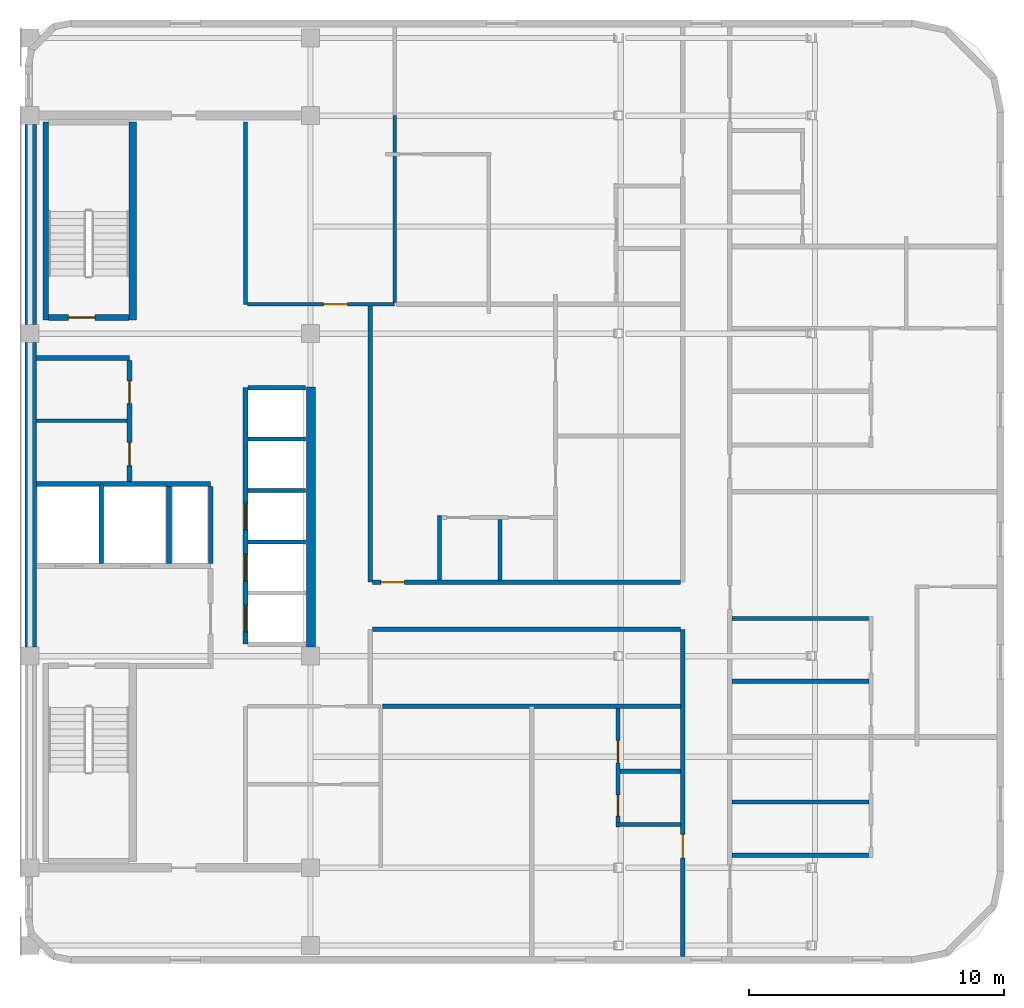
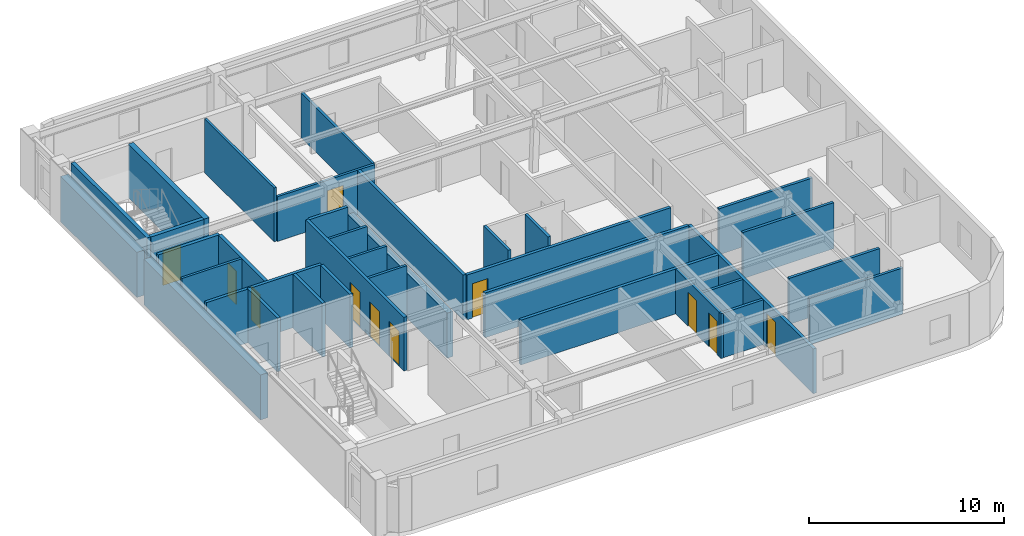
# One storey, part 3 of 7: 35 walls, 11 doors, 11 openings.
"""IFC4 building model written with IfcOpenShell, lengths in metres."""

from ifc_helpers import new_model, si_unit, direction, frame, frame_2d, origin, place, context, subcontext, project, spatial, rectangle, extrude, material, layer, layer_set, type_object, element, fill, save


model = new_model("IFC4")

# Units and contexts
model_context = context("Model", 3, precision=1e-05, world=origin(), true_north=direction((0.0, 1.0)))
body_context = subcontext(model_context, "Body", "Model", "MODEL_VIEW")
ifc_project = project(units=[si_unit("LENGTHUNIT", "METRE"), si_unit("AREAUNIT", "SQUARE_METRE"), si_unit("VOLUMEUNIT", "CUBIC_METRE"), si_unit("PLANEANGLEUNIT", "RADIAN"), si_unit("MASSUNIT", "GRAM", prefix="KILO")], contexts=[model_context])

# Site, building, storey
site_placement = place(None, origin())
site = spatial("IfcSite", under=ifc_project, at=site_placement, CompositionType="ELEMENT")
building_placement = place(site_placement, origin())
building = spatial("IfcBuilding", under=site, at=building_placement, Name="Ochreholt Gables", CompositionType="ELEMENT")
storey_placement = place(building_placement, frame((0.0, 0.0, 209.39990234375)))
storey = spatial("IfcBuildingStorey", under=building, at=storey_placement, Name="L54", CompositionType="ELEMENT", Elevation=209.39990234375)

# Walls
ifc_material_1 = material(Name="Concrete 50 MPa", Category="concrete")
ifc_layer_1 = layer(ifc_material_1, 0.35009765625, Name="Concrete 50 MPa")
ifc_layer_set_1 = layer_set([ifc_layer_1], Name="Concrete 50 MPa")
wall_type_1 = type_object("IfcWallType", Name="WALL-CSW-350", PredefinedType="SHEAR", material=ifc_layer_set_1)
wall_1_placement = place(storey_placement, frame((35.22509765625, 17.89990234375, 0.0), z_axis=(0.0, 0.0, 1.0), x_axis=(0.0, 1.0, 0.0)))
element("IfcWall", 1, at=wall_1_placement, inside=storey, type_object=wall_type_1, Name="L54 Core Central-East Shear Wall", PredefinedType="SHEAR", context=body_context, shape_type="SweptSolid", body=[
    extrude(rectangle(XDim=10.2001953125, YDim=0.35009765625, at=frame_2d((5.10009765625, 0.0))), origin(), (0.0, 0.0, 1.0), 2.821044921875),
])
ifc_layer_2 = layer(ifc_material_1, 0.449951171875, Name="Concrete 50 MPa")
ifc_layer_set_2 = layer_set([ifc_layer_2], Name="Concrete 50 MPa")
wall_type_2 = type_object("IfcWallType", Name="WALL-CSW-EXT", PredefinedType="SHEAR", material=ifc_layer_set_2)
wall_2_placement = place(storey_placement, frame((24.22509765625, 17.89990234375, 0.0), z_axis=(0.0, 0.0, 1.0), x_axis=(0.0, 1.0, 0.0)))
element("IfcWall", 2, at=wall_2_placement, inside=storey, type_object=wall_type_2, Name="L54 Core West Shear Wall WM", PredefinedType="SHEAR", context=body_context, shape_type="SweptSolid", body=[
    extrude(rectangle(XDim=11.9501953125, YDim=0.449951171875, at=frame_2d((5.97509765625, 0.0))), origin(), (0.0, 0.0, 1.0), 2.821044921875),
])
wall_3_placement = place(storey_placement, frame((24.22509765625, 30.550048828125, 0.0), z_axis=(0.0, 0.0, 1.0), x_axis=(0.0, 1.0, 0.0)))
element("IfcWall", 3, at=wall_3_placement, inside=storey, type_object=wall_type_2, Name="L54 Core West Shear Wall WN", PredefinedType="SHEAR", context=body_context, shape_type="SweptSolid", body=[
    extrude(rectangle(XDim=7.849853515625, YDim=0.449951171875, at=frame_2d((3.9248046875, 0.0))), origin(), (0.0, 0.0, 1.0), 2.821044921875),
])
ifc_material_2 = material(Name="Concrete 40 MPa", Category="concrete")
ifc_layer_3 = layer(ifc_material_2, 0.199951171875, Name="Concrete 40 MPa")
ifc_layer_set_3 = layer_set([ifc_layer_3], Name="Concrete 40 MPa")
wall_type_3 = type_object("IfcWallType", Name="WALL-INT-CF200", PredefinedType="STANDARD", material=ifc_layer_set_3)
wall_4_placement = place(storey_placement, frame((24.449951171875, 29.239990234375, 0.0), z_axis=(0.0, 0.0, 1.0), x_axis=(1.0, 0.0, 0.0)))
element("IfcWall", 4, at=wall_4_placement, inside=storey, type_object=wall_type_3, Name="L54 Interior Wall WI-SRVN-L54", PredefinedType="STANDARD", context=body_context, shape_type="SweptSolid", body=[
    extrude(rectangle(XDim=3.650146484375, YDim=0.199951171875, at=frame_2d((1.8251953125, 0.0))), origin(), (0.0, 0.0, 1.0), 3.360107421875),
])

# Wall, openings, doors
wall_5_placement = place(storey_placement, frame((28.10009765625, 24.389892578125, 0.0), z_axis=(0.0, 0.0, 1.0), x_axis=(0.0, 1.0, 0.0)))
wall_5 = element("IfcWall", 5, at=wall_5_placement, inside=storey, type_object=wall_type_3, Name="L54 Interior Wall WI-SRVE-L54", PredefinedType="STANDARD", context=body_context, shape_type="SweptSolid", body=[
    extrude(rectangle(XDim=4.75, YDim=0.199951171875, at=frame_2d((2.375, 0.0))), origin(), (0.0, 0.0, 1.0), 3.360107421875),
])
opening_1_placement = place(wall_5_placement, frame((0.6298828125, 0.0, 0.0)))
opening_1 = element("IfcOpeningElement", 6, at=opening_1_placement, cuts=wall_5, Name="Opening D-SV1", PredefinedType="OPENING", context=body_context, shape_type="SweptSolid", body=[
    extrude(rectangle(XDim=0.89990234375, YDim=2.10009765625, at=frame_2d((0.449951171875, 1.050048828125))), frame((0.0, 0.10986328125, 0.0), z_axis=(0.0, -1.0, 0.0), x_axis=(1.0, 0.0, 0.0)), (0.0, 0.0, 1.0), 0.219970703125),
])
opening_2_placement = place(wall_5_placement, frame((3.06005859375, 0.0, 0.0)))
opening_2 = element("IfcOpeningElement", 7, at=opening_2_placement, cuts=wall_5, Name="Opening D-SV1", PredefinedType="OPENING", context=body_context, shape_type="SweptSolid", body=[
    extrude(rectangle(XDim=0.89990234375, YDim=2.10009765625, at=frame_2d((0.449951171875, 1.050048828125))), frame((0.0, 0.10986328125, 0.0), z_axis=(0.0, -1.0, 0.0), x_axis=(1.0, 0.0, 0.0)), (0.0, 0.0, 1.0), 0.219970703125),
])
ifc_material_3 = material(Name="Hollow Metal Steel", Category="steel")
door_type_1 = type_object("IfcDoorType", Name="DR-INT-SRV900", OperationType="NOTDEFINED", PredefinedType="DOOR", material=ifc_material_3)
door_1_placement = place(opening_1_placement, origin())
door_1 = element("IfcDoor", 8, at=door_1_placement, inside=storey, type_object=door_type_1, Name="L54 Door D-SRV1-L54", OperationType="SINGLE_SWING_LEFT", OverallHeight=2.10009765625, OverallWidth=0.89990234375, PredefinedType="DOOR", context=body_context, shape_type="SweptSolid", body=[
    extrude(rectangle(XDim=0.89990234375, YDim=2.10009765625, at=frame_2d((0.449951171875, 1.050048828125))), frame((0.0, 0.02490234375, 0.0), z_axis=(0.0, -1.0, 0.0), x_axis=(1.0, 0.0, 0.0)), (0.0, 0.0, 1.0), 0.050048828125),
])
fill(opening_1, door_1)
door_2_placement = place(opening_2_placement, origin())
door_2 = element("IfcDoor", 9, at=door_2_placement, inside=storey, type_object=door_type_1, Name="L54 Door D-SRV2-L54", OperationType="SINGLE_SWING_RIGHT", OverallHeight=2.10009765625, OverallWidth=0.89990234375, PredefinedType="DOOR", context=body_context, shape_type="SweptSolid", body=[
    extrude(rectangle(XDim=0.89990234375, YDim=2.10009765625, at=frame_2d((0.449951171875, 1.050048828125))), frame((0.0, 0.02490234375, 0.0), z_axis=(0.0, -1.0, 0.0), x_axis=(1.0, 0.0, 0.0)), (0.0, 0.0, 1.0), 0.050048828125),
])
fill(opening_2, door_2)

# Wall
ifc_material_4 = material(Name="Fire-Rated Gypsum Acoustic Partition", Category="gypsum")
ifc_layer_4 = layer(ifc_material_4, 0.179931640625, Name="Fire-Rated Gypsum Acoustic Partition")
ifc_layer_set_4 = layer_set([ifc_layer_4], Name="Fire-Rated Gypsum Acoustic Partition")
wall_type_4 = type_object("IfcWallType", Name="WALL-INT-CR180", PredefinedType="STANDARD", material=ifc_layer_set_4)
wall_6_placement = place(storey_placement, frame((37.550048828125, 20.449951171875, 0.0), z_axis=(0.0, 0.0, 1.0), x_axis=(0.0, 1.0, 0.0)))
element("IfcWall", 10, at=wall_6_placement, inside=storey, type_object=wall_type_4, Name="L54 Interior Wall WI-C3CE2-L54", PredefinedType="STANDARD", context=body_context, shape_type="SweptSolid", body=[
    extrude(rectangle(XDim=10.82763671875, YDim=0.179931640625, at=frame_2d((5.413818359375, 0.0))), origin(), (0.0, 0.0, 1.0), 2.802978515625),
])

# Wall, opening, door
wall_7_placement = place(storey_placement, frame((49.800048828125, 5.77001953125, 0.0), z_axis=(0.0, 0.0, 1.0), x_axis=(0.0, 1.0, 0.0)))
wall_7 = element("IfcWall", 11, at=wall_7_placement, inside=storey, type_object=wall_type_4, Name="L54 Interior Wall WI-C3GW0-L54", PredefinedType="STANDARD", context=body_context, shape_type="SweptSolid", body=[
    extrude(rectangle(XDim=12.830078125, YDim=0.179931640625, at=frame_2d((6.4150390625, 0.0))), origin(), (0.0, 0.0, 1.0), 2.802978515625),
])
opening_3_placement = place(wall_7_placement, frame((3.8701171875, 0.0, 0.0)))
opening_3 = element("IfcOpeningElement", 12, at=opening_3_placement, cuts=wall_7, Name="Opening D-UN1", PredefinedType="OPENING", context=body_context, shape_type="SweptSolid", body=[
    extrude(rectangle(XDim=0.919921875, YDim=2.14990234375, at=frame_2d((0.4599609375, 1.074951171875))), frame((0.0, 0.099853515625, 0.0), z_axis=(0.0, -1.0, 0.0), x_axis=(1.0, 0.0, 0.0)), (0.0, 0.0, 1.0), 0.199951171875),
])
ifc_material_5 = material(Name="Engineered Oak Timber", Category="wood")
door_type_2 = type_object("IfcDoorType", Name="DR-INT-UNT920", OperationType="NOTDEFINED", PredefinedType="DOOR", material=ifc_material_5)
door_3_placement = place(opening_3_placement, origin())
door_3 = element("IfcDoor", 13, at=door_3_placement, inside=storey, type_object=door_type_2, Name="L54 Door D-U-L54SM1-ENT", OperationType="SINGLE_SWING_RIGHT", OverallHeight=2.14990234375, OverallWidth=0.919921875, PredefinedType="DOOR", context=body_context, shape_type="SweptSolid", body=[
    extrude(rectangle(XDim=0.919921875, YDim=2.14990234375, at=frame_2d((0.4599609375, 1.074951171875))), frame((0.0, 0.02490234375, 0.0), z_axis=(0.0, -1.0, 0.0), x_axis=(1.0, 0.0, 0.0)), (0.0, 0.0, 1.0), 0.050048828125),
])
fill(opening_3, door_3)

# Wall
wall_8_placement = place(storey_placement, frame((37.639892578125, 18.60009765625, 0.0), z_axis=(0.0, 0.0, 1.0), x_axis=(1.0, 0.0, 0.0)))
element("IfcWall", 14, at=wall_8_placement, inside=storey, type_object=wall_type_4, Name="L54 Interior Wall WI-C3BRS1-L54", PredefinedType="STANDARD", context=body_context, shape_type="SweptSolid", body=[
    extrude(rectangle(XDim=12.070068359375, YDim=0.179931640625, at=frame_2d((6.03515625, 0.0))), origin(), (0.0, 0.0, 1.0), 2.802978515625),
])

# Wall, opening, door
wall_9_placement = place(storey_placement, frame((37.639892578125, 20.449951171875, 0.0), z_axis=(0.0, 0.0, 1.0), x_axis=(1.0, 0.0, 0.0)))
wall_9 = element("IfcWall", 15, at=wall_9_placement, inside=storey, type_object=wall_type_4, Name="L54 Interior Wall WI-C3BRN1-L54", PredefinedType="STANDARD", context=body_context, shape_type="SweptSolid", body=[
    extrude(rectangle(XDim=12.070068359375, YDim=0.179931640625, at=frame_2d((6.03515625, 0.0))), origin(), (0.0, 0.0, 1.0), 2.802978515625),
])
opening_4_placement = place(wall_9_placement, frame((0.320068359375, 0.0, 0.0)))
opening_4 = element("IfcOpeningElement", 16, at=opening_4_placement, cuts=wall_9, Name="Opening D-UN1", PredefinedType="OPENING", context=body_context, shape_type="SweptSolid", body=[
    extrude(rectangle(XDim=0.919921875, YDim=2.14990234375, at=frame_2d((0.4599609375, 1.074951171875))), frame((0.0, 0.099853515625, 0.0), z_axis=(0.0, -1.0, 0.0), x_axis=(1.0, 0.0, 0.0)), (0.0, 0.0, 1.0), 0.199951171875),
])
door_4_placement = place(opening_4_placement, origin())
door_4 = element("IfcDoor", 17, at=door_4_placement, inside=storey, type_object=door_type_2, Name="L54 Door D-U-L54NM1-ENT", OperationType="SINGLE_SWING_RIGHT", OverallHeight=2.14990234375, OverallWidth=0.919921875, PredefinedType="DOOR", context=body_context, shape_type="SweptSolid", body=[
    extrude(rectangle(XDim=0.919921875, YDim=2.14990234375, at=frame_2d((0.4599609375, 1.074951171875))), frame((0.0, 0.02490234375, 0.0), z_axis=(0.0, -1.0, 0.0), x_axis=(1.0, 0.0, 0.0)), (0.0, 0.0, 1.0), 0.050048828125),
])
fill(opening_4, door_4)

# Walls
ifc_material_6 = material(Name="Double-Stud Acoustic Demising Wall", Category="gypsum")
ifc_layer_5 = layer(ifc_material_6, 0.18505859375, Name="Double-Stud Acoustic Demising Wall")
ifc_layer_set_5 = layer_set([ifc_layer_5], Name="Double-Stud Acoustic Demising Wall")
wall_type_5 = type_object("IfcWallType", Name="WALL-INT-DM185", PredefinedType="PARTITIONING", material=ifc_layer_set_5)
wall_10_placement = place(storey_placement, frame((38.0224609375, 15.580078125, 0.0), z_axis=(0.0, 0.0, 1.0), x_axis=(1.0, 0.0, 0.0)))
element("IfcWall", 18, at=wall_10_placement, inside=storey, type_object=wall_type_5, Name="L54 Interior Wall WI-C3SMY-L54", PredefinedType="PARTITIONING", context=body_context, shape_type="SweptSolid", body=[
    extrude(rectangle(XDim=11.6875, YDim=0.18505859375, at=frame_2d((5.84375, 0.0))), origin(), (0.0, 0.0, 1.0), 2.802978515625),
])
ifc_material_7 = material(Name="Moisture-Resistant Plumbing Chase Wall", Category="gypsum")
ifc_layer_6 = layer(ifc_material_7, 0.159912109375, Name="Moisture-Resistant Plumbing Chase Wall")
ifc_layer_set_6 = layer_set([ifc_layer_6], Name="Moisture-Resistant Plumbing Chase Wall")
wall_type_6 = type_object("IfcWallType", Name="WALL-INT-PL160", PredefinedType="PLUMBINGWALL", material=ifc_layer_set_6)
wall_11_placement = place(storey_placement, frame((51.739990234375, 9.739990234375, 0.0), z_axis=(0.0, 0.0, 1.0), x_axis=(1.0, 0.0, 0.0)))
element("IfcWall", 19, at=wall_11_placement, inside=storey, type_object=wall_type_6, Name="L54 Interior Wall WU-L54E1-WYS", PredefinedType="PLUMBINGWALL", context=body_context, shape_type="SweptSolid", body=[
    extrude(rectangle(XDim=5.530029296875, YDim=0.159912109375, at=frame_2d((2.76513671875, 0.0))), origin(), (0.0, 0.0, 1.0), 2.879150390625),
])
wall_12_placement = place(storey_placement, frame((51.739990234375, 11.8330078125, 0.0), z_axis=(0.0, 0.0, 1.0), x_axis=(1.0, 0.0, 0.0)))
element("IfcWall", 20, at=wall_12_placement, inside=storey, type_object=wall_type_6, Name="L54 Interior Wall WU-L54E1-WM", PredefinedType="PLUMBINGWALL", context=body_context, shape_type="SweptSolid", body=[
    extrude(rectangle(XDim=5.3701171875, YDim=0.159912109375, at=frame_2d((2.68505859375, 0.0))), origin(), (0.0, 0.0, 1.0), 2.879150390625),
])
wall_13_placement = place(storey_placement, frame((51.739990234375, 19.02001953125, 0.0), z_axis=(0.0, 0.0, 1.0), x_axis=(1.0, 0.0, 0.0)))
element("IfcWall", 21, at=wall_13_placement, inside=storey, type_object=wall_type_6, Name="L54 Interior Wall WU-L54E2-WYN", PredefinedType="PLUMBINGWALL", context=body_context, shape_type="SweptSolid", body=[
    extrude(rectangle(XDim=5.530029296875, YDim=0.159912109375, at=frame_2d((2.76513671875, 0.0))), origin(), (0.0, 0.0, 1.0), 2.879150390625),
])
wall_14_placement = place(storey_placement, frame((51.739990234375, 16.56298828125, 0.0), z_axis=(0.0, 0.0, 1.0), x_axis=(1.0, 0.0, 0.0)))
element("IfcWall", 22, at=wall_14_placement, inside=storey, type_object=wall_type_6, Name="L54 Interior Wall WU-L54E2-WM", PredefinedType="PLUMBINGWALL", context=body_context, shape_type="SweptSolid", body=[
    extrude(rectangle(XDim=5.3701171875, YDim=0.159912109375, at=frame_2d((2.68505859375, 0.0))), origin(), (0.0, 0.0, 1.0), 2.879150390625),
])
wall_15_placement = place(storey_placement, frame((47.179931640625, 10.93994140625, 0.0), z_axis=(0.0, 0.0, 1.0), x_axis=(1.0, 0.0, 0.0)))
element("IfcWall", 23, at=wall_15_placement, inside=storey, type_object=wall_type_6, Name="L54 Interior Wall WU-L54SM1-WYS", PredefinedType="PLUMBINGWALL", context=body_context, shape_type="SweptSolid", body=[
    extrude(rectangle(XDim=2.530029296875, YDim=0.159912109375, at=frame_2d((1.26513671875, 0.0))), origin(), (0.0, 0.0, 1.0), 2.802978515625),
])

# Wall, openings, doors
wall_16_placement = place(storey_placement, frame((47.260009765625, 10.85009765625, 0.0), z_axis=(0.0, 0.0, 1.0), x_axis=(0.0, 1.0, 0.0)))
wall_16 = element("IfcWall", 24, at=wall_16_placement, inside=storey, type_object=wall_type_6, Name="L54 Interior Wall WU-L54SM1-WX", PredefinedType="PLUMBINGWALL", context=body_context, shape_type="SweptSolid", body=[
    extrude(rectangle(XDim=4.637451171875, YDim=0.159912109375, at=frame_2d((2.31884765625, 0.0))), origin(), (0.0, 0.0, 1.0), 2.802978515625),
])
opening_5_placement = place(wall_16_placement, frame((0.419921875, 0.0, 0.0)))
opening_5 = element("IfcOpeningElement", 25, at=opening_5_placement, cuts=wall_16, Name="Opening D-BT2", PredefinedType="OPENING", context=body_context, shape_type="SweptSolid", body=[
    extrude(rectangle(XDim=0.840087890625, YDim=2.1201171875, at=frame_2d((0.419921875, 1.06005859375))), frame((0.0, 0.08984375, 0.0), z_axis=(0.0, -1.0, 0.0), x_axis=(1.0, 0.0, 0.0)), (0.0, 0.0, 1.0), 0.179931640625),
])
opening_6_placement = place(wall_16_placement, frame((2.512939453125, 0.0, 0.0)))
opening_6 = element("IfcOpeningElement", 26, at=opening_6_placement, cuts=wall_16, Name="Opening D-GN2", PredefinedType="OPENING", context=body_context, shape_type="SweptSolid", body=[
    extrude(rectangle(XDim=0.8798828125, YDim=2.1201171875, at=frame_2d((0.43994140625, 1.06005859375))), frame((0.0, 0.08984375, 0.0), z_axis=(0.0, -1.0, 0.0), x_axis=(1.0, 0.0, 0.0)), (0.0, 0.0, 1.0), 0.179931640625),
])
door_type_3 = type_object("IfcDoorType", Name="DR-INT-BTH840", OperationType="NOTDEFINED", PredefinedType="DOOR", material=ifc_material_5)
door_5_placement = place(opening_5_placement, origin())
door_5 = element("IfcDoor", 27, at=door_5_placement, inside=storey, type_object=door_type_3, Name="L54 Door D-U-L54SM1-BTH", OperationType="SINGLE_SWING_LEFT", OverallHeight=2.1201171875, OverallWidth=0.840087890625, PredefinedType="DOOR", context=body_context, shape_type="SweptSolid", body=[
    extrude(rectangle(XDim=0.840087890625, YDim=2.1201171875, at=frame_2d((0.419921875, 1.06005859375))), frame((0.0, 0.02490234375, 0.0), z_axis=(0.0, -1.0, 0.0), x_axis=(1.0, 0.0, 0.0)), (0.0, 0.0, 1.0), 0.050048828125),
])
fill(opening_5, door_5)
door_type_4 = type_object("IfcDoorType", Name="DR-INT-GEN880", OperationType="NOTDEFINED", PredefinedType="DOOR", material=ifc_material_5)
door_6_placement = place(opening_6_placement, origin())
door_6 = element("IfcDoor", 28, at=door_6_placement, inside=storey, type_object=door_type_4, Name="L54 Door D-U-L54SM1-KIT", OperationType="SINGLE_SWING_RIGHT", OverallHeight=2.1201171875, OverallWidth=0.8798828125, PredefinedType="DOOR", context=body_context, shape_type="SweptSolid", body=[
    extrude(rectangle(XDim=0.8798828125, YDim=2.1201171875, at=frame_2d((0.43994140625, 1.06005859375))), frame((0.0, 0.02490234375, 0.0), z_axis=(0.0, -1.0, 0.0), x_axis=(1.0, 0.0, 0.0)), (0.0, 0.0, 1.0), 0.050048828125),
])
fill(opening_6, door_6)

# Walls
wall_17_placement = place(storey_placement, frame((47.340087890625, 13.032958984375, 0.0), z_axis=(0.0, 0.0, 1.0), x_axis=(1.0, 0.0, 0.0)))
element("IfcWall", 29, at=wall_17_placement, inside=storey, type_object=wall_type_6, Name="L54 Interior Wall WU-L54SM1-WM", PredefinedType="PLUMBINGWALL", context=body_context, shape_type="SweptSolid", body=[
    extrude(rectangle(XDim=2.369873046875, YDim=0.159912109375, at=frame_2d((1.18505859375, 0.0))), origin(), (0.0, 0.0, 1.0), 2.802978515625),
])
wall_18_placement = place(storey_placement, frame((40.260009765625, 20.5400390625, 0.0), z_axis=(0.0, 0.0, 1.0), x_axis=(0.0, 1.0, 0.0)))
element("IfcWall", 30, at=wall_18_placement, inside=storey, type_object=wall_type_6, Name="L54 Interior Wall WU-L54NM1-FY", PredefinedType="PLUMBINGWALL", context=body_context, shape_type="SweptSolid", body=[
    extrude(rectangle(XDim=2.530029296875, YDim=0.159912109375, at=frame_2d((1.26513671875, 0.0))), origin(), (0.0, 0.0, 1.0), 3.360107421875),
])
wall_19_placement = place(storey_placement, frame((42.6259765625, 20.5400390625, 0.0), z_axis=(0.0, 0.0, 1.0), x_axis=(0.0, 1.0, 0.0)))
element("IfcWall", 31, at=wall_19_placement, inside=storey, type_object=wall_type_6, Name="L54 Interior Wall WU-L54NM1-WK", PredefinedType="PLUMBINGWALL", context=body_context, shape_type="SweptSolid", body=[
    extrude(rectangle(XDim=2.369873046875, YDim=0.159912109375, at=frame_2d((1.18505859375, 0.0))), origin(), (0.0, 0.0, 1.0), 3.360107421875),
])
ifc_material_8 = material(Name="Lightweight Stud Partition", Category="gypsum")
ifc_layer_7 = layer(ifc_material_8, 0.14501953125, Name="Lightweight Stud Partition")
ifc_layer_set_7 = layer_set([ifc_layer_7], Name="Lightweight Stud Partition")
wall_type_7 = type_object("IfcWallType", Name="WALL-INT-PT145", PredefinedType="PARTITIONING", material=ifc_layer_set_7)
wall_20_placement = place(storey_placement, frame((24.449951171875, 26.780029296875, 0.0), z_axis=(0.0, 0.0, 1.0), x_axis=(1.0, 0.0, 0.0)))
element("IfcWall", 32, at=wall_20_placement, inside=storey, type_object=wall_type_7, Name="L54 Interior Wall WI-SRVP1-L54", PredefinedType="PARTITIONING", context=body_context, shape_type="SweptSolid", body=[
    extrude(rectangle(XDim=3.550048828125, YDim=0.14501953125, at=frame_2d((1.77490234375, 0.0))), origin(), (0.0, 0.0, 1.0), 3.360107421875),
])
wall_21_placement = place(storey_placement, frame((32.64990234375, 31.35009765625, 0.0), z_axis=(0.0, 0.0, 1.0), x_axis=(0.0, 1.0, 0.0)))
element("IfcWall", 33, at=wall_21_placement, inside=storey, type_object=wall_type_7, Name="L54 Interior Wall WI-RCM-W-L54", PredefinedType="PARTITIONING", context=body_context, shape_type="SweptSolid", body=[
    extrude(rectangle(XDim=7.14990234375, YDim=0.14501953125, at=frame_2d((3.574951171875, 0.0))), origin(), (0.0, 0.0, 1.0), 3.360107421875),
])

# Wall, opening, door
wall_22_placement = place(storey_placement, frame((32.722412109375, 31.35009765625, 0.0), z_axis=(0.0, 0.0, 1.0), x_axis=(1.0, 0.0, 0.0)))
wall_22 = element("IfcWall", 34, at=wall_22_placement, inside=storey, type_object=wall_type_7, Name="L54 Interior Wall WI-RCM-S-L54", PredefinedType="PARTITIONING", context=body_context, shape_type="SweptSolid", body=[
    extrude(rectangle(XDim=5.777587890625, YDim=0.14501953125, at=frame_2d((2.888671875, 0.0))), origin(), (0.0, 0.0, 1.0), 2.802978515625),
])
opening_7_placement = place(wall_22_placement, frame((2.9775390625, 0.0, 0.0)))
opening_7 = element("IfcOpeningElement", 35, at=opening_7_placement, cuts=wall_22, Name="Opening D-GN1", PredefinedType="OPENING", context=body_context, shape_type="SweptSolid", body=[
    extrude(rectangle(XDim=0.949951171875, YDim=2.14990234375, at=frame_2d((0.47509765625, 1.074951171875))), frame((0.0, 0.08251953125, 0.0), z_axis=(0.0, -1.0, 0.0), x_axis=(1.0, 0.0, 0.0)), (0.0, 0.0, 1.0), 0.1650390625),
])
door_type_5 = type_object("IfcDoorType", Name="DR-INT-GEN950", OperationType="NOTDEFINED", PredefinedType="DOOR", material=ifc_material_5)
door_7_placement = place(opening_7_placement, origin())
door_7 = element("IfcDoor", 36, at=door_7_placement, inside=storey, type_object=door_type_5, Name="L54 Door D-RCM-L54", OperationType="SINGLE_SWING_RIGHT", OverallHeight=2.14990234375, OverallWidth=0.949951171875, PredefinedType="DOOR", context=body_context, shape_type="SweptSolid", body=[
    extrude(rectangle(XDim=0.949951171875, YDim=2.14990234375, at=frame_2d((0.47509765625, 1.074951171875))), frame((0.0, 0.02490234375, 0.0), z_axis=(0.0, -1.0, 0.0), x_axis=(1.0, 0.0, 0.0)), (0.0, 0.0, 1.0), 0.050048828125),
])
fill(opening_7, door_7)

# Walls
wall_23_placement = place(storey_placement, frame((38.5, 31.422607421875, 0.0), z_axis=(0.0, 0.0, 1.0), x_axis=(0.0, 1.0, 0.0)))
element("IfcWall", 37, at=wall_23_placement, inside=storey, type_object=wall_type_7, Name="L54 Interior Wall WI-RCM-E-L54", PredefinedType="PARTITIONING", context=body_context, shape_type="SweptSolid", body=[
    extrude(rectangle(XDim=7.327392578125, YDim=0.14501953125, at=frame_2d((3.66357421875, 0.0))), origin(), (0.0, 0.0, 1.0), 2.802978515625),
])
ifc_material_9 = material(Name="Gypsum Shaftliner and Steel Stud", Category="steel")
ifc_layer_8 = layer(ifc_material_9, 0.14990234375, Name="Gypsum Shaftliner and Steel Stud")
ifc_layer_set_8 = layer_set([ifc_layer_8], Name="Gypsum Shaftliner and Steel Stud")
wall_type_8 = type_object("IfcWallType", Name="WALL-INT-SH150", PredefinedType="STANDARD", material=ifc_layer_set_8)
for number, where, z_axis, x_axis, name in (
    (38, (32.739990234375, 22.02001953125, 0.0), (0.0, 0.0, 1.0), (1.0, 0.0, 0.0), "L54 Interior Wall WI-LFHE-DH2-L54"),
    (39, (32.739990234375, 24.050048828125, 0.0), (0.0, 0.0, 1.0), (1.0, 0.0, 0.0), "L54 Interior Wall WI-LFHE-DHE-L54"),
    (40, (32.739990234375, 26.070068359375, 0.0), (0.0, 0.0, 1.0), (1.0, 0.0, 0.0), "L54 Interior Wall WI-LFHE-DEX1-L54"),
):
    element("IfcWall", number, at=place(storey_placement, frame(where, z_axis=z_axis, x_axis=x_axis)), inside=storey, type_object=wall_type_8, Name=name, PredefinedType="STANDARD", context=body_context, shape_type="SweptSolid", body=[
        extrude(rectangle(XDim=2.260009765625, YDim=0.14990234375, at=frame_2d((1.1298828125, 0.0))), origin(), (0.0, 0.0, 1.0), 3.360107421875),
    ])
ifc_layer_9 = layer(ifc_material_9, 0.179931640625, Name="Gypsum Shaftliner and Steel Stud")
ifc_layer_set_9 = layer_set([ifc_layer_9], Name="Gypsum Shaftliner and Steel Stud")
wall_type_9 = type_object("IfcWallType", Name="WALL-INT-SH180", PredefinedType="STANDARD", material=ifc_layer_set_9)
wall_24_placement = place(storey_placement, frame((27.0, 21.18994140625, 0.0), z_axis=(0.0, 0.0, 1.0), x_axis=(0.0, 1.0, 0.0)))
element("IfcWall", 41, at=wall_24_placement, inside=storey, type_object=wall_type_9, Name="L54 Interior Wall WI-FFDIV-L54", PredefinedType="STANDARD", context=body_context, shape_type="SweptSolid", body=[
    extrude(rectangle(XDim=3.110107421875, YDim=0.179931640625, at=frame_2d((1.55517578125, 0.0))), origin(), (0.0, 0.0, 1.0), 3.360107421875),
])
wall_25_placement = place(storey_placement, frame((24.449951171875, 24.300048828125, 0.0), z_axis=(0.0, 0.0, 1.0), x_axis=(1.0, 0.0, 0.0)))
element("IfcWall", 42, at=wall_25_placement, inside=storey, type_object=wall_type_9, Name="L54 Interior Wall WI-FFBK-L54", PredefinedType="STANDARD", context=body_context, shape_type="SweptSolid", body=[
    extrude(rectangle(XDim=6.830078125, YDim=0.179931640625, at=frame_2d((3.4150390625, 0.0))), origin(), (0.0, 0.0, 1.0), 3.360107421875),
])
for number, where, z_axis, x_axis, name in (
    (43, (29.64990234375, 21.18994140625, 0.0), (0.0, 0.0, 1.0), (0.0, 1.0, 0.0), "L54 Interior Wall WI-FFSH-L54"),
    (44, (31.280029296875, 21.18994140625, 0.0), (0.0, 0.0, 1.0), (0.0, 1.0, 0.0), "L54 Interior Wall WI-RSE-L54"),
):
    element("IfcWall", number, at=place(storey_placement, frame(where, z_axis=z_axis, x_axis=x_axis)), inside=storey, type_object=wall_type_9, Name=name, PredefinedType="STANDARD", context=body_context, shape_type="SweptSolid", body=[
        extrude(rectangle(XDim=3.02001953125, YDim=0.179931640625, at=frame_2d((1.510009765625, 0.0))), origin(), (0.0, 0.0, 1.0), 3.360107421875),
    ])

# Wall, openings, doors
wall_26_placement = place(storey_placement, frame((32.64990234375, 18.02001953125, 0.0), z_axis=(0.0, 0.0, 1.0), x_axis=(0.0, 1.0, 0.0)))
wall_26 = element("IfcWall", 45, at=wall_26_placement, inside=storey, type_object=wall_type_9, Name="L54 Interior Wall WI-LFHE-FR-L54", PredefinedType="STANDARD", context=body_context, shape_type="SweptSolid", body=[
    extrude(rectangle(XDim=10.06005859375, YDim=0.179931640625, at=frame_2d((5.030029296875, 0.0))), origin(), (0.0, 0.0, 1.0), 3.360107421875),
])
opening_8_placement = place(wall_26_placement, frame((0.47998046875, 0.0, 0.0)))
opening_8 = element("IfcOpeningElement", 46, at=opening_8_placement, cuts=wall_26, Name="Opening LD-PX", PredefinedType="OPENING", context=body_context, shape_type="SweptSolid", body=[
    extrude(rectangle(XDim=1.050048828125, YDim=2.199951171875, at=frame_2d((0.52490234375, 1.10009765625))), frame((0.0, 0.099853515625, 0.0), z_axis=(0.0, -1.0, 0.0), x_axis=(1.0, 0.0, 0.0)), (0.0, 0.0, 1.0), 0.199951171875),
])
opening_9_placement = place(wall_26_placement, frame((2.47998046875, 0.0, 0.0)))
opening_9 = element("IfcOpeningElement", 47, at=opening_9_placement, cuts=wall_26, Name="Opening LD-PX", PredefinedType="OPENING", context=body_context, shape_type="SweptSolid", body=[
    extrude(rectangle(XDim=1.050048828125, YDim=2.199951171875, at=frame_2d((0.52490234375, 1.10009765625))), frame((0.0, 0.099853515625, 0.0), z_axis=(0.0, -1.0, 0.0), x_axis=(1.0, 0.0, 0.0)), (0.0, 0.0, 1.0), 0.199951171875),
])
opening_10_placement = place(wall_26_placement, frame((4.47998046875, 0.0, 0.0)))
opening_10 = element("IfcOpeningElement", 48, at=opening_10_placement, cuts=wall_26, Name="Opening LD-PX", PredefinedType="OPENING", context=body_context, shape_type="SweptSolid", body=[
    extrude(rectangle(XDim=1.050048828125, YDim=2.199951171875, at=frame_2d((0.52490234375, 1.10009765625))), frame((0.0, 0.099853515625, 0.0), z_axis=(0.0, -1.0, 0.0), x_axis=(1.0, 0.0, 0.0)), (0.0, 0.0, 1.0), 0.199951171875),
])
ifc_material_10 = material(Name="Stainless Steel", Category="steel")
door_type_6 = type_object("IfcDoorType", Name="DR-LFT-PX1050", OperationType="NOTDEFINED", PredefinedType="DOOR", material=ifc_material_10)
door_8_placement = place(opening_8_placement, origin())
door_8 = element("IfcDoor", 49, at=door_8_placement, inside=storey, type_object=door_type_6, Name="L54 Door LD-LF-H1-L54", OperationType="SLIDING_TO_LEFT", OverallHeight=2.199951171875, OverallWidth=1.050048828125, PredefinedType="DOOR", context=body_context, shape_type="SweptSolid", body=[
    extrude(rectangle(XDim=1.050048828125, YDim=2.199951171875, at=frame_2d((0.52490234375, 1.10009765625))), frame((0.0, 0.02490234375, 0.0), z_axis=(0.0, -1.0, 0.0), x_axis=(1.0, 0.0, 0.0)), (0.0, 0.0, 1.0), 0.050048828125),
])
fill(opening_8, door_8)
door_9_placement = place(opening_9_placement, origin())
door_9 = element("IfcDoor", 50, at=door_9_placement, inside=storey, type_object=door_type_6, Name="L54 Door LD-LF-H2-L54", OperationType="SLIDING_TO_LEFT", OverallHeight=2.199951171875, OverallWidth=1.050048828125, PredefinedType="DOOR", context=body_context, shape_type="SweptSolid", body=[
    extrude(rectangle(XDim=1.050048828125, YDim=2.199951171875, at=frame_2d((0.52490234375, 1.10009765625))), frame((0.0, 0.02490234375, 0.0), z_axis=(0.0, -1.0, 0.0), x_axis=(1.0, 0.0, 0.0)), (0.0, 0.0, 1.0), 0.050048828125),
])
fill(opening_9, door_9)
door_10_placement = place(opening_10_placement, origin())
door_10 = element("IfcDoor", 51, at=door_10_placement, inside=storey, type_object=door_type_6, Name="L54 Door LD-LF-H3-L54", OperationType="SLIDING_TO_LEFT", OverallHeight=2.199951171875, OverallWidth=1.050048828125, PredefinedType="DOOR", context=body_context, shape_type="SweptSolid", body=[
    extrude(rectangle(XDim=1.050048828125, YDim=2.199951171875, at=frame_2d((0.52490234375, 1.10009765625))), frame((0.0, 0.02490234375, 0.0), z_axis=(0.0, -1.0, 0.0), x_axis=(1.0, 0.0, 0.0)), (0.0, 0.0, 1.0), 0.050048828125),
])
fill(opening_10, door_10)

# Walls
wall_27_placement = place(storey_placement, frame((32.739990234375, 28.080078125, 0.0), z_axis=(0.0, 0.0, 1.0), x_axis=(1.0, 0.0, 0.0)))
element("IfcWall", 52, at=wall_27_placement, inside=storey, type_object=wall_type_9, Name="L54 Interior Wall WI-LFHE-N-L54", PredefinedType="STANDARD", context=body_context, shape_type="SweptSolid", body=[
    extrude(rectangle(XDim=2.260009765625, YDim=0.179931640625, at=frame_2d((1.1298828125, 0.0))), origin(), (0.0, 0.0, 1.0), 3.360107421875),
])
ifc_material_11 = material(Name="Concrete 60 MPa", Category="concrete")
ifc_layer_10 = layer(ifc_material_11, 0.300048828125, Name="Concrete 60 MPa")
ifc_layer_set_10 = layer_set([ifc_layer_10], Name="Concrete 60 MPa")
wall_type_10 = type_object("IfcWallType", Name="WALL-SPN-300", PredefinedType="SHEAR", material=ifc_layer_set_10)
wall_28_placement = place(storey_placement, frame((28.22998046875, 30.739990234375, 0.0), z_axis=(0.0, 0.0, 1.0), x_axis=(0.0, 1.0, 0.0)))
element("IfcWall", 53, at=wall_28_placement, inside=storey, type_object=wall_type_10, Name="L54 Core North Spine Shear Wall", PredefinedType="SHEAR", context=body_context, shape_type="SweptSolid", body=[
    extrude(rectangle(XDim=7.760009765625, YDim=0.300048828125, at=frame_2d((3.8798828125, 0.0))), origin(), (0.0, 0.0, 1.0), 3.360107421875),
])
ifc_layer_11 = layer(ifc_material_1, 0.219970703125, Name="Concrete 50 MPa")
ifc_layer_set_11 = layer_set([ifc_layer_11], Name="Concrete 50 MPa")
wall_type_11 = type_object("IfcWallType", Name="WALL-STW-220", PredefinedType="SHEAR", material=ifc_layer_set_11)
wall_29_placement = place(storey_placement, frame((24.81005859375, 30.739990234375, 0.0), z_axis=(0.0, 0.0, 1.0), x_axis=(0.0, 1.0, 0.0)))
element("IfcWall", 54, at=wall_29_placement, inside=storey, type_object=wall_type_11, Name="L54 Exit Stair 2 West Wall", PredefinedType="SHEAR", context=body_context, shape_type="SweptSolid", body=[
    extrude(rectangle(XDim=7.760009765625, YDim=0.219970703125, at=frame_2d((3.8798828125, 0.0))), origin(), (0.0, 0.0, 1.0), 3.360107421875),
])

# Wall, opening, door
wall_30_placement = place(storey_placement, frame((24.919921875, 30.830078125, 0.0), z_axis=(0.0, 0.0, 1.0), x_axis=(1.0, 0.0, 0.0)))
wall_30 = element("IfcWall", 55, at=wall_30_placement, inside=storey, type_object=wall_type_11, Name="L54 Exit Stair 2 South Wall", PredefinedType="SHEAR", context=body_context, shape_type="SweptSolid", body=[
    extrude(rectangle(XDim=3.16015625, YDim=0.219970703125, at=frame_2d((1.580078125, 0.0))), origin(), (0.0, 0.0, 1.0), 3.360107421875),
])
opening_11_placement = place(wall_30_placement, frame((0.780029296875, 0.0, 0.0)))
opening_11 = element("IfcOpeningElement", 56, at=opening_11_placement, cuts=wall_30, Name="Opening D-STC", PredefinedType="OPENING", context=body_context, shape_type="SweptSolid", body=[
    extrude(rectangle(XDim=1.050048828125, YDim=2.14990234375, at=frame_2d((0.52490234375, 1.074951171875))), frame((0.0, 0.119873046875, 0.0), z_axis=(0.0, -1.0, 0.0), x_axis=(1.0, 0.0, 0.0)), (0.0, 0.0, 1.0), 0.239990234375),
])
door_type_7 = type_object("IfcDoorType", Name="DR-INT-ST1050", OperationType="NOTDEFINED", PredefinedType="DOOR", material=ifc_material_3)
door_11_placement = place(opening_11_placement, origin())
door_11 = element("IfcDoor", 57, at=door_11_placement, inside=storey, type_object=door_type_7, Name="L54 Door D-ST2-L54", OperationType="SINGLE_SWING_RIGHT", OverallHeight=2.14990234375, OverallWidth=1.050048828125, PredefinedType="DOOR", context=body_context, shape_type="SweptSolid", body=[
    extrude(rectangle(XDim=1.050048828125, YDim=2.14990234375, at=frame_2d((0.52490234375, 1.074951171875))), frame((0.0, 0.02490234375, 0.0), z_axis=(0.0, -1.0, 0.0), x_axis=(1.0, 0.0, 0.0)), (0.0, 0.0, 1.0), 0.050048828125),
])
fill(opening_11, door_11)

save(model, "model.ifc")
